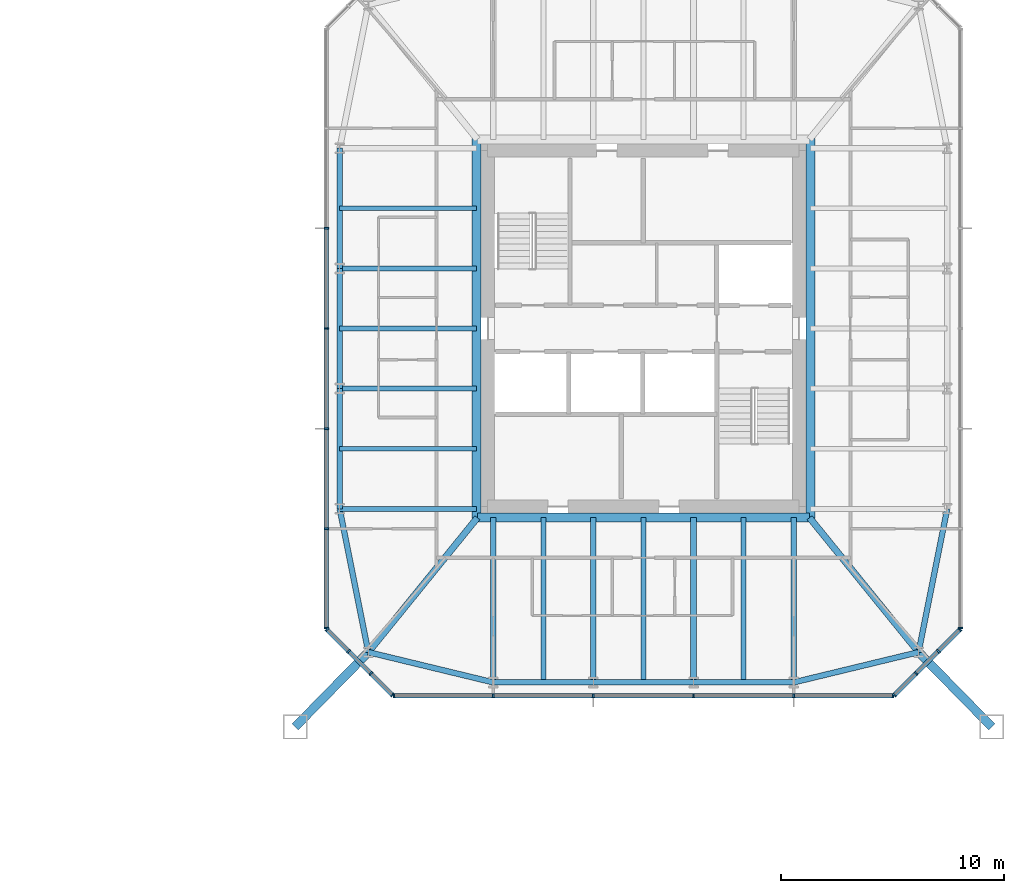
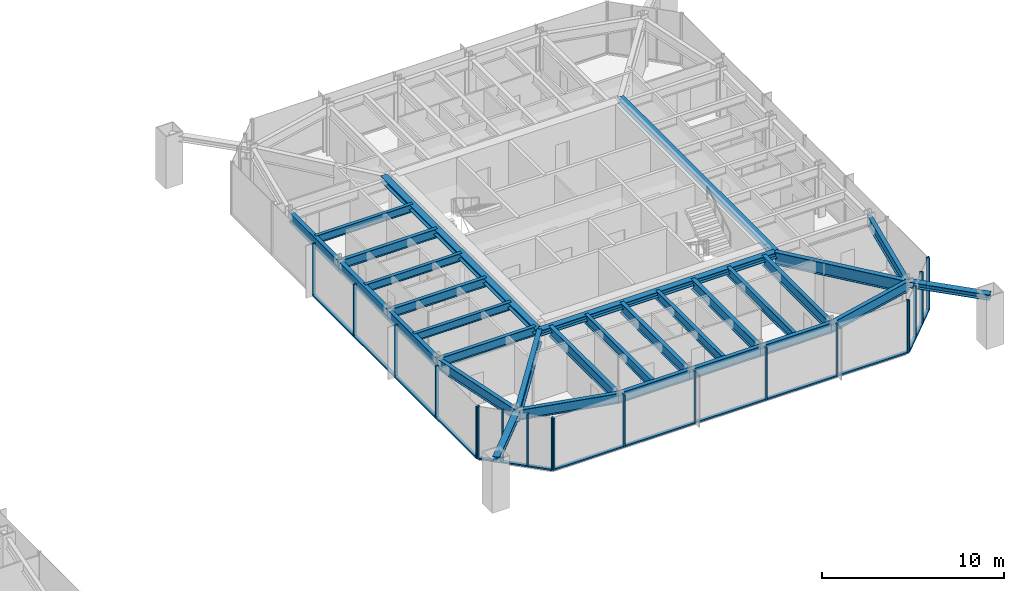
# One storey, part 8 of 25: 37 members, 28 beams, 5 elements without a shape of their own.
"""IFC4 building model written with IfcOpenShell, lengths in metres."""

from ifc_helpers import new_model, si_unit, direction, frame, origin, origin_2d, place, context, subcontext, project, spatial, rectangle, i_section, extrude, material, material_profile, profile_set, type_object, element, aggregate, save


model = new_model("IFC4")

# Units and contexts
model_context = context("Model", 3, precision=1e-05, world=origin(), true_north=direction((0.0, 1.0)))
body_context = subcontext(model_context, "Body", "Model", "MODEL_VIEW")
ifc_project = project(units=[si_unit("LENGTHUNIT", "METRE"), si_unit("AREAUNIT", "SQUARE_METRE"), si_unit("VOLUMEUNIT", "CUBIC_METRE"), si_unit("PLANEANGLEUNIT", "RADIAN"), si_unit("MASSUNIT", "GRAM", prefix="KILO")], contexts=[model_context])

# Site, building, storey
site_placement = place(None, origin())
site = spatial("IfcSite", under=ifc_project, at=site_placement, CompositionType="ELEMENT")
building_placement = place(site_placement, origin())
building = spatial("IfcBuilding", under=site, at=building_placement, Name="Iwan Alto Co-Living Towers", CompositionType="ELEMENT")
storey_placement = place(building_placement, frame((0.0, 0.0, 112.0)))
storey = spatial("IfcBuildingStorey", under=building, at=storey_placement, Name="L30", CompositionType="ELEMENT", Elevation=112.0)

# Curtain wall, members
ifc_material_1 = material(Name="Bronze aluminium unitised frame", Category="aluminium")
curtain_wall_type_1 = type_object("IfcCurtainWallType", Name="CURTAIN WALL CW-C", PredefinedType="NOTDEFINED", material=ifc_material_1)
curtain_wall_1_placement = place(storey_placement, origin())
curtain_wall_1 = element("IfcCurtainWall", 1, at=curtain_wall_1_placement, inside=storey, type_object=curtain_wall_type_1, Name="T2 curtain wall S L30", PredefinedType="NOTDEFINED")
ifc_material_2 = material(Name="Aluminium 6063-T6 bronze anodised", Category="aluminium")
ifc_material_profile_1 = material_profile(ifc_material_2, rectangle(XDim=0.199951171875, YDim=0.080078125, at=origin_2d()), Name="AL 80X200")
ifc_profile_set_1 = profile_set([ifc_material_profile_1], Name="Aluminium 6063-T6 bronze anodised")
member_type_1 = type_object("IfcMemberType", Name="CW-C MULLION 80X200", PredefinedType="MULLION", material=ifc_profile_set_1)
member_1_placement = place(storey_placement, frame((51.7900390625, -16.5, 0.0), z_axis=(0.0, 0.0, 1.0), x_axis=(0.0, 1.0, 0.0)))
member_1 = element("IfcMember", 2, at=member_1_placement, type_object=member_type_1, Name="CW-C mullion 1", PredefinedType="MULLION", context=body_context, shape_type="SweptSolid", body=[
    extrude(rectangle(XDim=0.199951171875, YDim=0.080078125, at=origin_2d()), origin(), (0.0, 0.0, 1.0), 3.5),
])
member_2_placement = place(storey_placement, frame((56.25, -16.5, 0.0), z_axis=(0.0, 0.0, 1.0), x_axis=(0.0, 1.0, 0.0)))
member_2 = element("IfcMember", 3, at=member_2_placement, type_object=member_type_1, Name="CW-C mullion 2", PredefinedType="MULLION", context=body_context, shape_type="SweptSolid", body=[
    extrude(rectangle(XDim=0.199951171875, YDim=0.080078125, at=origin_2d()), origin(), (0.0, 0.0, 1.0), 3.5),
])
member_3_placement = place(storey_placement, frame((60.75, -16.5, 0.0), z_axis=(0.0, 0.0, 1.0), x_axis=(0.0, 1.0, 0.0)))
member_3 = element("IfcMember", 4, at=member_3_placement, type_object=member_type_1, Name="CW-C mullion 3", PredefinedType="MULLION", context=body_context, shape_type="SweptSolid", body=[
    extrude(rectangle(XDim=0.199951171875, YDim=0.080078125, at=origin_2d()), origin(), (0.0, 0.0, 1.0), 3.5),
])
member_4_placement = place(storey_placement, frame((65.25, -16.5, 0.0), z_axis=(0.0, 0.0, 1.0), x_axis=(0.0, 1.0, 0.0)))
member_4 = element("IfcMember", 5, at=member_4_placement, type_object=member_type_1, Name="CW-C mullion 4", PredefinedType="MULLION", context=body_context, shape_type="SweptSolid", body=[
    extrude(rectangle(XDim=0.199951171875, YDim=0.080078125, at=origin_2d()), origin(), (0.0, 0.0, 1.0), 3.5),
])
member_5_placement = place(storey_placement, frame((69.75, -16.5, 0.0), z_axis=(0.0, 0.0, 1.0), x_axis=(0.0, 1.0, 0.0)))
member_5 = element("IfcMember", 6, at=member_5_placement, type_object=member_type_1, Name="CW-C mullion 5", PredefinedType="MULLION", context=body_context, shape_type="SweptSolid", body=[
    extrude(rectangle(XDim=0.199951171875, YDim=0.080078125, at=origin_2d()), origin(), (0.0, 0.0, 1.0), 3.5),
])
member_6_placement = place(storey_placement, frame((74.2099609375, -16.5, 0.0), z_axis=(0.0, 0.0, 1.0), x_axis=(0.0, 1.0, 0.0)))
member_6 = element("IfcMember", 7, at=member_6_placement, type_object=member_type_1, Name="CW-C mullion 6", PredefinedType="MULLION", context=body_context, shape_type="SweptSolid", body=[
    extrude(rectangle(XDim=0.199951171875, YDim=0.080078125, at=origin_2d()), origin(), (0.0, 0.0, 1.0), 3.5),
])

# Curtain wall, member
curtain_wall_2_placement = place(storey_placement, origin())
curtain_wall_2 = element("IfcCurtainWall", 8, at=curtain_wall_2_placement, inside=storey, type_object=curtain_wall_type_1, Name="T2 curtain wall E L30", PredefinedType="NOTDEFINED")
member_7_placement = place(storey_placement, frame((77.25, -13.4599609375, 0.0), z_axis=(0.0, 0.0, 1.0), x_axis=(-1.0, 0.0, 0.0)))
member_7 = element("IfcMember", 9, at=member_7_placement, type_object=member_type_1, Name="CW-C mullion 1", PredefinedType="MULLION", context=body_context, shape_type="SweptSolid", body=[
    extrude(rectangle(XDim=0.199951171875, YDim=0.080078125, at=origin_2d()), origin(), (0.0, 0.0, 1.0), 3.5),
])
aggregate(curtain_wall_2, [member_7])

# Curtain wall, members
curtain_wall_3_placement = place(storey_placement, origin())
curtain_wall_3 = element("IfcCurtainWall", 10, at=curtain_wall_3_placement, inside=storey, type_object=curtain_wall_type_1, Name="T2 curtain wall W L30", PredefinedType="NOTDEFINED")
member_8_placement = place(storey_placement, frame((48.75, 4.5, 0.0), z_axis=(0.0, 0.0, 1.0), x_axis=(1.0, 0.0, 0.0)))
member_8 = element("IfcMember", 11, at=member_8_placement, type_object=member_type_1, Name="CW-C mullion 3", PredefinedType="MULLION", context=body_context, shape_type="SweptSolid", body=[
    extrude(rectangle(XDim=0.199951171875, YDim=0.080078125, at=origin_2d()), origin(), (0.0, 0.0, 1.0), 3.5),
])
member_9_placement = place(storey_placement, frame((48.75, 0.0, 0.0), z_axis=(0.0, 0.0, 1.0), x_axis=(1.0, 0.0, 0.0)))
member_9 = element("IfcMember", 12, at=member_9_placement, type_object=member_type_1, Name="CW-C mullion 4", PredefinedType="MULLION", context=body_context, shape_type="SweptSolid", body=[
    extrude(rectangle(XDim=0.199951171875, YDim=0.080078125, at=origin_2d()), origin(), (0.0, 0.0, 1.0), 3.5),
])
member_10_placement = place(storey_placement, frame((48.75, -4.5, 0.0), z_axis=(0.0, 0.0, 1.0), x_axis=(1.0, 0.0, 0.0)))
member_10 = element("IfcMember", 13, at=member_10_placement, type_object=member_type_1, Name="CW-C mullion 5", PredefinedType="MULLION", context=body_context, shape_type="SweptSolid", body=[
    extrude(rectangle(XDim=0.199951171875, YDim=0.080078125, at=origin_2d()), origin(), (0.0, 0.0, 1.0), 3.5),
])
member_11_placement = place(storey_placement, frame((48.75, -9.0, 0.0), z_axis=(0.0, 0.0, 1.0), x_axis=(1.0, 0.0, 0.0)))
member_11 = element("IfcMember", 14, at=member_11_placement, type_object=member_type_1, Name="CW-C mullion 6", PredefinedType="MULLION", context=body_context, shape_type="SweptSolid", body=[
    extrude(rectangle(XDim=0.199951171875, YDim=0.080078125, at=origin_2d()), origin(), (0.0, 0.0, 1.0), 3.5),
])
member_12_placement = place(storey_placement, frame((48.75, -13.4599609375, 0.0), z_axis=(0.0, 0.0, 1.0), x_axis=(1.0, 0.0, 0.0)))
member_12 = element("IfcMember", 15, at=member_12_placement, type_object=member_type_1, Name="CW-C mullion 7", PredefinedType="MULLION", context=body_context, shape_type="SweptSolid", body=[
    extrude(rectangle(XDim=0.199951171875, YDim=0.080078125, at=origin_2d()), origin(), (0.0, 0.0, 1.0), 3.5),
])

# Member
ifc_material_3 = material(Name="Aluminium 6063-T6 bronze anodised", Category="aluminium")
ifc_material_profile_2 = material_profile(ifc_material_3, rectangle(XDim=0.199951171875, YDim=0.10009765625, at=origin_2d()), Name="AL 200X100")
ifc_profile_set_2 = profile_set([ifc_material_profile_2], Name="Aluminium 6063-T6 bronze anodised")
member_type_2 = type_object("IfcMemberType", Name="CW-C TRANSOM 200X100", PredefinedType="USERDEFINED", material=ifc_profile_set_2)
member_13_placement = place(storey_placement, frame((51.830078125, -16.5, 0.050048828125), z_axis=(1.0, 0.0, 0.0), x_axis=(0.0, 1.0, 0.0)))
member_13 = element("IfcMember", 16, at=member_13_placement, type_object=member_type_2, Name="CW-C transom 1.1", ObjectType="TRANSOM", PredefinedType="USERDEFINED", context=body_context, shape_type="SweptSolid", body=[
    extrude(rectangle(XDim=0.199951171875, YDim=0.10009765625, at=origin_2d()), origin(), (0.0, 0.0, 1.0), 4.3798828125),
])

member_14_placement = place(storey_placement, frame((56.2900390625, -16.5, 0.050048828125), z_axis=(1.0, 0.0, 0.0), x_axis=(0.0, 1.0, 0.0)))
member_14 = element("IfcMember", 17, at=member_14_placement, type_object=member_type_2, Name="CW-C transom 2.1", ObjectType="TRANSOM", PredefinedType="USERDEFINED", context=body_context, shape_type="SweptSolid", body=[
    extrude(rectangle(XDim=0.199951171875, YDim=0.10009765625, at=origin_2d()), origin(), (0.0, 0.0, 1.0), 4.419921875),
])

member_15_placement = place(storey_placement, frame((60.7900390625, -16.5, 0.050048828125), z_axis=(1.0, 0.0, 0.0), x_axis=(0.0, 1.0, 0.0)))
member_15 = element("IfcMember", 18, at=member_15_placement, type_object=member_type_2, Name="CW-C transom 3.1", ObjectType="TRANSOM", PredefinedType="USERDEFINED", context=body_context, shape_type="SweptSolid", body=[
    extrude(rectangle(XDim=0.199951171875, YDim=0.10009765625, at=origin_2d()), origin(), (0.0, 0.0, 1.0), 4.419921875),
])

member_16_placement = place(storey_placement, frame((65.2900390625, -16.5, 0.050048828125), z_axis=(1.0, 0.0, 0.0), x_axis=(0.0, 1.0, 0.0)))
member_16 = element("IfcMember", 19, at=member_16_placement, type_object=member_type_2, Name="CW-C transom 4.1", ObjectType="TRANSOM", PredefinedType="USERDEFINED", context=body_context, shape_type="SweptSolid", body=[
    extrude(rectangle(XDim=0.199951171875, YDim=0.10009765625, at=origin_2d()), origin(), (0.0, 0.0, 1.0), 4.419921875),
])

member_17_placement = place(storey_placement, frame((69.7900390625, -16.5, 0.050048828125), z_axis=(1.0, 0.0, 0.0), x_axis=(0.0, 1.0, 0.0)))
member_17 = element("IfcMember", 20, at=member_17_placement, type_object=member_type_2, Name="CW-C transom 5.1", ObjectType="TRANSOM", PredefinedType="USERDEFINED", context=body_context, shape_type="SweptSolid", body=[
    extrude(rectangle(XDim=0.199951171875, YDim=0.10009765625, at=origin_2d()), origin(), (0.0, 0.0, 1.0), 4.3798828125),
])

aggregate(curtain_wall_1, [member_1, member_2, member_3, member_4, member_5, member_6, member_13, member_14, member_15, member_16, member_17])

member_18_placement = place(storey_placement, frame((48.75, 4.4599609375, 0.050048828125), z_axis=(0.0, -1.0, 0.0), x_axis=(1.0, 0.0, 0.0)))
member_18 = element("IfcMember", 21, at=member_18_placement, type_object=member_type_2, Name="CW-C transom 3.1", ObjectType="TRANSOM", PredefinedType="USERDEFINED", context=body_context, shape_type="SweptSolid", body=[
    extrude(rectangle(XDim=0.199951171875, YDim=0.10009765625, at=origin_2d()), origin(), (0.0, 0.0, 1.0), 4.419921875),
])

member_19_placement = place(storey_placement, frame((48.75, -0.0400390625, 0.050048828125), z_axis=(0.0, -1.0, 0.0), x_axis=(1.0, 0.0, 0.0)))
member_19 = element("IfcMember", 22, at=member_19_placement, type_object=member_type_2, Name="CW-C transom 4.1", ObjectType="TRANSOM", PredefinedType="USERDEFINED", context=body_context, shape_type="SweptSolid", body=[
    extrude(rectangle(XDim=0.199951171875, YDim=0.10009765625, at=origin_2d()), origin(), (0.0, 0.0, 1.0), 4.419921875),
])

member_20_placement = place(storey_placement, frame((48.75, -4.5400390625, 0.050048828125), z_axis=(0.0, -1.0, 0.0), x_axis=(1.0, 0.0, 0.0)))
member_20 = element("IfcMember", 23, at=member_20_placement, type_object=member_type_2, Name="CW-C transom 5.1", ObjectType="TRANSOM", PredefinedType="USERDEFINED", context=body_context, shape_type="SweptSolid", body=[
    extrude(rectangle(XDim=0.199951171875, YDim=0.10009765625, at=origin_2d()), origin(), (0.0, 0.0, 1.0), 4.419921875),
])

member_21_placement = place(storey_placement, frame((48.75, -9.0400390625, 0.050048828125), z_axis=(0.0, -1.0, 0.0), x_axis=(1.0, 0.0, 0.0)))
member_21 = element("IfcMember", 24, at=member_21_placement, type_object=member_type_2, Name="CW-C transom 6.1", ObjectType="TRANSOM", PredefinedType="USERDEFINED", context=body_context, shape_type="SweptSolid", body=[
    extrude(rectangle(XDim=0.199951171875, YDim=0.10009765625, at=origin_2d()), origin(), (0.0, 0.0, 1.0), 4.3798828125),
])

aggregate(curtain_wall_3, [member_8, member_9, member_10, member_11, member_12, member_18, member_19, member_20, member_21])

# Curtain wall, members
ifc_material_4 = material(Name="Bronze aluminium unitised frame", Category="aluminium")
curtain_wall_type_2 = type_object("IfcCurtainWallType", Name="CURTAIN WALL CW-D", PredefinedType="NOTDEFINED", material=ifc_material_4)
curtain_wall_4_placement = place(storey_placement, origin())
curtain_wall_4 = element("IfcCurtainWall", 25, at=curtain_wall_4_placement, inside=storey, type_object=curtain_wall_type_2, Name="T2 chamfer curtain wall SE L30", PredefinedType="NOTDEFINED")
ifc_material_5 = material(Name="Aluminium 6063-T6 bronze anodised", Category="aluminium")
ifc_material_profile_3 = material_profile(ifc_material_5, rectangle(XDim=0.199951171875, YDim=0.080078125, at=origin_2d()), Name="AL 80X200")
ifc_profile_set_3 = profile_set([ifc_material_profile_3], Name="Aluminium 6063-T6 bronze anodised")
member_type_3 = type_object("IfcMemberType", Name="CW-D MULLION 80X200", PredefinedType="MULLION", material=ifc_profile_set_3)
member_22_placement = place(storey_placement, frame((74.2783203125, -16.4716796875, 0.0), z_axis=(0.0, 0.0, 1.0), x_axis=(-0.707106781187, 0.707106781187, 0.0)))
member_22 = element("IfcMember", 26, at=member_22_placement, type_object=member_type_3, Name="CW-D mullion 1", PredefinedType="MULLION", context=body_context, shape_type="SweptSolid", body=[
    extrude(rectangle(XDim=0.199951171875, YDim=0.080078125, at=origin_2d()), origin(), (0.0, 0.0, 1.0), 3.5),
])
member_23_placement = place(storey_placement, frame((75.25, -15.5, 0.0), z_axis=(0.0, 0.0, 1.0), x_axis=(-0.707106781187, 0.707106781187, 0.0)))
member_23 = element("IfcMember", 27, at=member_23_placement, type_object=member_type_3, Name="CW-D mullion 2", PredefinedType="MULLION", context=body_context, shape_type="SweptSolid", body=[
    extrude(rectangle(XDim=0.199951171875, YDim=0.080078125, at=origin_2d()), origin(), (0.0, 0.0, 1.0), 3.5),
])
member_24_placement = place(storey_placement, frame((76.25, -14.5, 0.0), z_axis=(0.0, 0.0, 1.0), x_axis=(-0.707106781187, 0.707106781187, 0.0)))
member_24 = element("IfcMember", 28, at=member_24_placement, type_object=member_type_3, Name="CW-D mullion 3", PredefinedType="MULLION", context=body_context, shape_type="SweptSolid", body=[
    extrude(rectangle(XDim=0.199951171875, YDim=0.080078125, at=origin_2d()), origin(), (0.0, 0.0, 1.0), 3.5),
])
member_25_placement = place(storey_placement, frame((77.2216796875, -13.5283203125, 0.0), z_axis=(0.0, 0.0, 1.0), x_axis=(-0.707106781187, 0.707106781187, 0.0)))
member_25 = element("IfcMember", 29, at=member_25_placement, type_object=member_type_3, Name="CW-D mullion 4", PredefinedType="MULLION", context=body_context, shape_type="SweptSolid", body=[
    extrude(rectangle(XDim=0.199951171875, YDim=0.080078125, at=origin_2d()), origin(), (0.0, 0.0, 1.0), 3.5),
])

curtain_wall_5_placement = place(storey_placement, origin())
curtain_wall_5 = element("IfcCurtainWall", 30, at=curtain_wall_5_placement, inside=storey, type_object=curtain_wall_type_2, Name="T2 chamfer curtain wall SW L30", PredefinedType="NOTDEFINED")
member_26_placement = place(storey_placement, frame((48.7783203125, -13.5283203125, 0.0), z_axis=(0.0, 0.0, 1.0), x_axis=(0.707106781187, 0.707106781187, 0.0)))
member_26 = element("IfcMember", 31, at=member_26_placement, type_object=member_type_3, Name="CW-D mullion 1", PredefinedType="MULLION", context=body_context, shape_type="SweptSolid", body=[
    extrude(rectangle(XDim=0.199951171875, YDim=0.080078125, at=origin_2d()), origin(), (0.0, 0.0, 1.0), 3.5),
])
member_27_placement = place(storey_placement, frame((49.75, -14.5, 0.0), z_axis=(0.0, 0.0, 1.0), x_axis=(0.707106781187, 0.707106781187, 0.0)))
member_27 = element("IfcMember", 32, at=member_27_placement, type_object=member_type_3, Name="CW-D mullion 2", PredefinedType="MULLION", context=body_context, shape_type="SweptSolid", body=[
    extrude(rectangle(XDim=0.199951171875, YDim=0.080078125, at=origin_2d()), origin(), (0.0, 0.0, 1.0), 3.5),
])
member_28_placement = place(storey_placement, frame((50.75, -15.5, 0.0), z_axis=(0.0, 0.0, 1.0), x_axis=(0.707106781187, 0.707106781187, 0.0)))
member_28 = element("IfcMember", 33, at=member_28_placement, type_object=member_type_3, Name="CW-D mullion 3", PredefinedType="MULLION", context=body_context, shape_type="SweptSolid", body=[
    extrude(rectangle(XDim=0.199951171875, YDim=0.080078125, at=origin_2d()), origin(), (0.0, 0.0, 1.0), 3.5),
])
member_29_placement = place(storey_placement, frame((51.7216796875, -16.4716796875, 0.0), z_axis=(0.0, 0.0, 1.0), x_axis=(0.707106781187, 0.707106781187, 0.0)))
member_29 = element("IfcMember", 34, at=member_29_placement, type_object=member_type_3, Name="CW-D mullion 4", PredefinedType="MULLION", context=body_context, shape_type="SweptSolid", body=[
    extrude(rectangle(XDim=0.199951171875, YDim=0.080078125, at=origin_2d()), origin(), (0.0, 0.0, 1.0), 3.5),
])

# Member
ifc_material_6 = material(Name="Aluminium 6063-T6 bronze anodised", Category="aluminium")
ifc_material_profile_4 = material_profile(ifc_material_6, rectangle(XDim=0.199951171875, YDim=0.10009765625, at=origin_2d()), Name="AL 200X100")
ifc_profile_set_4 = profile_set([ifc_material_profile_4], Name="Aluminium 6063-T6 bronze anodised")
member_type_4 = type_object("IfcMemberType", Name="CW-D TRANSOM 200X100", PredefinedType="USERDEFINED", material=ifc_profile_set_4)
member_30_placement = place(storey_placement, frame((74.306640625, -16.443359375, 0.050048828125), z_axis=(0.707106781187, 0.707106781187, 0.0), x_axis=(-0.707106781187, 0.707106781187, 0.0)))
member_30 = element("IfcMember", 35, at=member_30_placement, type_object=member_type_4, Name="CW-D transom 1.1", ObjectType="TRANSOM", PredefinedType="USERDEFINED", context=body_context, shape_type="SweptSolid", body=[
    extrude(rectangle(XDim=0.199951171875, YDim=0.10009765625, at=origin_2d()), origin(), (0.0, 0.0, 1.0), 1.2939453125),
])

member_31_placement = place(storey_placement, frame((75.2783203125, -15.4716796875, 0.050048828125), z_axis=(0.707106781187, 0.707106781187, 0.0), x_axis=(-0.707106781187, 0.707106781187, 0.0)))
member_31 = element("IfcMember", 36, at=member_31_placement, type_object=member_type_4, Name="CW-D transom 2.1", ObjectType="TRANSOM", PredefinedType="USERDEFINED", context=body_context, shape_type="SweptSolid", body=[
    extrude(rectangle(XDim=0.199951171875, YDim=0.10009765625, at=origin_2d()), origin(), (0.0, 0.0, 1.0), 1.334228515625),
])

member_32_placement = place(storey_placement, frame((76.2783203125, -14.4716796875, 0.050048828125), z_axis=(0.707106781187, 0.707106781187, 0.0), x_axis=(-0.707106781187, 0.707106781187, 0.0)))
member_32 = element("IfcMember", 37, at=member_32_placement, type_object=member_type_4, Name="CW-D transom 3.1", ObjectType="TRANSOM", PredefinedType="USERDEFINED", context=body_context, shape_type="SweptSolid", body=[
    extrude(rectangle(XDim=0.199951171875, YDim=0.10009765625, at=origin_2d()), origin(), (0.0, 0.0, 1.0), 1.2939453125),
])

aggregate(curtain_wall_4, [member_22, member_23, member_24, member_25, member_30, member_31, member_32])

member_33_placement = place(storey_placement, frame((48.806640625, -13.556640625, 0.050048828125), z_axis=(0.707106781187, -0.707106781187, 0.0), x_axis=(0.707106781187, 0.707106781187, 0.0)))
member_33 = element("IfcMember", 38, at=member_33_placement, type_object=member_type_4, Name="CW-D transom 1.1", ObjectType="TRANSOM", PredefinedType="USERDEFINED", context=body_context, shape_type="SweptSolid", body=[
    extrude(rectangle(XDim=0.199951171875, YDim=0.10009765625, at=origin_2d()), origin(), (0.0, 0.0, 1.0), 1.2939453125),
])

member_34_placement = place(storey_placement, frame((49.7783203125, -14.5283203125, 0.050048828125), z_axis=(0.707106781187, -0.707106781187, 0.0), x_axis=(0.707106781187, 0.707106781187, 0.0)))
member_34 = element("IfcMember", 39, at=member_34_placement, type_object=member_type_4, Name="CW-D transom 2.1", ObjectType="TRANSOM", PredefinedType="USERDEFINED", context=body_context, shape_type="SweptSolid", body=[
    extrude(rectangle(XDim=0.199951171875, YDim=0.10009765625, at=origin_2d()), origin(), (0.0, 0.0, 1.0), 1.334228515625),
])

member_35_placement = place(storey_placement, frame((50.7783203125, -15.5283203125, 0.050048828125), z_axis=(0.707106781187, -0.707106781187, 0.0), x_axis=(0.707106781187, 0.707106781187, 0.0)))
member_35 = element("IfcMember", 40, at=member_35_placement, type_object=member_type_4, Name="CW-D transom 3.1", ObjectType="TRANSOM", PredefinedType="USERDEFINED", context=body_context, shape_type="SweptSolid", body=[
    extrude(rectangle(XDim=0.199951171875, YDim=0.10009765625, at=origin_2d()), origin(), (0.0, 0.0, 1.0), 1.2939453125),
])

aggregate(curtain_wall_5, [member_26, member_27, member_28, member_29, member_33, member_34, member_35])

# Beams
ifc_material_7 = material(Name="Steel ASTM A992 Gr 50", Category="steel")
ifc_material_profile_5 = material_profile(ifc_material_7, i_section(OverallWidth=0.398681640625, OverallDepth=0.385986328125, WebThickness=0.02099609375, FlangeThickness=0.033203125, at=origin_2d()), Name="W14X176")
ifc_profile_set_5 = profile_set([ifc_material_profile_5], Name="Steel ASTM A992 Gr 50")
beam_type_1 = type_object("IfcBeamType", Name="T2 CORE LEDGER BEAM W14X176", PredefinedType="BEAM", material=ifc_profile_set_5)
beam_1_placement = place(storey_placement, frame((55.538330078125, -8.49951171875, 3.076904296875), z_axis=(1.0, 0.0, 0.0), x_axis=(0.0, 1.0, 0.0)))
element("IfcBeam", 41, at=beam_1_placement, inside=storey, type_object=beam_type_1, Name="T2 core ledger beam S L31", PredefinedType="BEAM", context=body_context, shape_type="SweptSolid", body=[
    extrude(i_section(OverallWidth=0.398681640625, OverallDepth=0.385986328125, WebThickness=0.02099609375, FlangeThickness=0.033203125, at=origin_2d()), origin(), (0.0, 0.0, 1.0), 14.92333984375),
])
for number, where, z_axis, x_axis, name in (
    (42, (70.49951171875, -8.5458984375, 3.076904296875), (0.0, 1.0, 0.0), (-1.0, 0.0, 0.0), "T2 core ledger beam E L31"),
    (43, (55.50048828125, 8.5458984375, 3.076904296875), (0.0, -1.0, 0.0), (1.0, 0.0, 0.0), "T2 core ledger beam W L31"),
):
    element("IfcBeam", number, at=place(storey_placement, frame(where, z_axis=z_axis, x_axis=x_axis)), inside=storey, type_object=beam_type_1, Name=name, PredefinedType="BEAM", context=body_context, shape_type="SweptSolid", body=[
        extrude(i_section(OverallWidth=0.398681640625, OverallDepth=0.385986328125, WebThickness=0.02099609375, FlangeThickness=0.033203125, at=origin_2d()), origin(), (0.0, 0.0, 1.0), 17.091796875),
    ])
ifc_material_8 = material(Name="Steel ASTM A992 Gr 50", Category="steel")
ifc_material_profile_6 = material_profile(ifc_material_8, i_section(OverallWidth=0.2919921875, OverallDepth=0.8408203125, WebThickness=0.0146484375, FlangeThickness=0.021728515625, at=origin_2d()), Name="W33X130")
ifc_profile_set_6 = profile_set([ifc_material_profile_6], Name="Steel ASTM A992 Gr 50")
beam_type_2 = type_object("IfcBeamType", Name="T2 CORNER GIRDER W33X130", PredefinedType="BEAM", material=ifc_profile_set_6)
for number, where, z_axis, x_axis, name in (
    (44, (50.638671875, -14.542724609375, 2.849609375), (0.629783024592, 0.776771100091, 0.0), (-0.776771100091, 0.629783024592, 0.0), "T2 corner girder CSW L31"),
    (45, (75.361328125, -14.542724609375, 2.849609375), (-0.629783024592, 0.776771100091, 0.0), (-0.776771100091, -0.629783024592, 0.0), "T2 corner girder CSE L31"),
):
    element("IfcBeam", number, at=place(storey_placement, frame(where, z_axis=z_axis, x_axis=x_axis)), inside=storey, type_object=beam_type_2, Name=name, PredefinedType="BEAM", context=body_context, shape_type="SweptSolid", body=[
        extrude(i_section(OverallWidth=0.2919921875, OverallDepth=0.8408203125, WebThickness=0.0146484375, FlangeThickness=0.021728515625, at=origin_2d()), origin(), (0.0, 0.0, 1.0), 7.780029296875),
    ])
ifc_material_9 = material(Name="Steel ASTM A992 Gr 50", Category="steel")
ifc_material_profile_7 = material_profile(ifc_material_9, i_section(OverallWidth=0.25390625, OverallDepth=0.683349609375, WebThickness=0.012451171875, FlangeThickness=0.018798828125, at=origin_2d()), Name="W27X94")
ifc_profile_set_7 = profile_set([ifc_material_profile_7], Name="Steel ASTM A992 Gr 50")
beam_type_3 = type_object("IfcBeamType", Name="T2 EDGE BEAM W27X94", PredefinedType="BEAM", material=ifc_profile_set_7)
beam_2_placement = place(storey_placement, frame((50.638671875, -14.542724609375, 2.928466796875), z_axis=(0.971974673138, -0.235085590323, 0.0), x_axis=(0.235085590323, 0.971974673138, 0.0)))
element("IfcBeam", 46, at=beam_2_placement, inside=storey, type_object=beam_type_3, Name="T2 edge beam CSW L31", PredefinedType="BEAM", context=body_context, shape_type="SweptSolid", body=[
    extrude(i_section(OverallWidth=0.25390625, OverallDepth=0.683349609375, WebThickness=0.012451171875, FlangeThickness=0.018798828125, at=origin_2d()), origin(), (0.0, 0.0, 1.0), 5.773193359375),
])
for number, where, z_axis, x_axis, name in (
    (47, (56.25, -15.89990234375, 2.928466796875), (1.0, 0.0, 0.0), (0.0, 1.0, 0.0), "T2 edge beam S1 L31"),
    (48, (60.75, -15.89990234375, 2.928466796875), (1.0, 0.0, 0.0), (0.0, 1.0, 0.0), "T2 edge beam S2 L31"),
    (49, (65.25, -15.89990234375, 2.928466796875), (1.0, 0.0, 0.0), (0.0, 1.0, 0.0), "T2 edge beam S3 L31"),
):
    element("IfcBeam", number, at=place(storey_placement, frame(where, z_axis=z_axis, x_axis=x_axis)), inside=storey, type_object=beam_type_3, Name=name, PredefinedType="BEAM", context=body_context, shape_type="SweptSolid", body=[
        extrude(i_section(OverallWidth=0.25390625, OverallDepth=0.683349609375, WebThickness=0.012451171875, FlangeThickness=0.018798828125, at=origin_2d()), origin(), (0.0, 0.0, 1.0), 4.5),
    ])
beam_3_placement = place(storey_placement, frame((69.75, -15.89990234375, 2.928466796875), z_axis=(0.971974673138, 0.235085590323, 0.0), x_axis=(-0.235085590323, 0.971974673138, 0.0)))
element("IfcBeam", 50, at=beam_3_placement, inside=storey, type_object=beam_type_3, Name="T2 edge beam S4 L31", PredefinedType="BEAM", context=body_context, shape_type="SweptSolid", body=[
    extrude(i_section(OverallWidth=0.25390625, OverallDepth=0.683349609375, WebThickness=0.012451171875, FlangeThickness=0.018798828125, at=origin_2d()), origin(), (0.0, 0.0, 1.0), 5.773193359375),
])
beam_4_placement = place(storey_placement, frame((75.361328125, -14.542724609375, 2.928466796875), z_axis=(0.196123281025, 0.980579246487, 0.0), x_axis=(-0.980579246487, 0.196123281025, 0.0)))
element("IfcBeam", 51, at=beam_4_placement, inside=storey, type_object=beam_type_3, Name="T2 edge beam CSE L31", PredefinedType="BEAM", context=body_context, shape_type="SweptSolid", body=[
    extrude(i_section(OverallWidth=0.25390625, OverallDepth=0.683349609375, WebThickness=0.012451171875, FlangeThickness=0.018798828125, at=origin_2d()), origin(), (0.0, 0.0, 1.0), 6.5703125),
])
beam_5_placement = place(storey_placement, frame((49.35009765625, 8.10009765625, 2.928466796875), z_axis=(0.0, -1.0, 0.0), x_axis=(1.0, 0.0, 0.0)))
element("IfcBeam", 52, at=beam_5_placement, inside=storey, type_object=beam_type_3, Name="T2 edge beam W1 L31", PredefinedType="BEAM", context=body_context, shape_type="SweptSolid", body=[
    extrude(i_section(OverallWidth=0.25390625, OverallDepth=0.683349609375, WebThickness=0.012451171875, FlangeThickness=0.018798828125, at=origin_2d()), origin(), (0.0, 0.0, 1.0), 5.400146484375),
])
beam_6_placement = place(storey_placement, frame((49.35009765625, 2.699951171875, 2.928466796875), z_axis=(0.0, -1.0, 0.0), x_axis=(1.0, 0.0, 0.0)))
element("IfcBeam", 53, at=beam_6_placement, inside=storey, type_object=beam_type_3, Name="T2 edge beam W2 L31", PredefinedType="BEAM", context=body_context, shape_type="SweptSolid", body=[
    extrude(i_section(OverallWidth=0.25390625, OverallDepth=0.683349609375, WebThickness=0.012451171875, FlangeThickness=0.018798828125, at=origin_2d()), origin(), (0.0, 0.0, 1.0), 5.39990234375),
])
beam_7_placement = place(storey_placement, frame((49.35009765625, -2.699951171875, 2.928466796875), z_axis=(0.0, -1.0, 0.0), x_axis=(1.0, 0.0, 0.0)))
element("IfcBeam", 54, at=beam_7_placement, inside=storey, type_object=beam_type_3, Name="T2 edge beam W3 L31", PredefinedType="BEAM", context=body_context, shape_type="SweptSolid", body=[
    extrude(i_section(OverallWidth=0.25390625, OverallDepth=0.683349609375, WebThickness=0.012451171875, FlangeThickness=0.018798828125, at=origin_2d()), origin(), (0.0, 0.0, 1.0), 5.400146484375),
])
beam_8_placement = place(storey_placement, frame((49.35009765625, -8.10009765625, 2.928466796875), z_axis=(0.196123281025, -0.980579246487, 0.0), x_axis=(0.980579246487, 0.196123281025, 0.0)))
element("IfcBeam", 55, at=beam_8_placement, inside=storey, type_object=beam_type_3, Name="T2 edge beam W4 L31", PredefinedType="BEAM", context=body_context, shape_type="SweptSolid", body=[
    extrude(i_section(OverallWidth=0.25390625, OverallDepth=0.683349609375, WebThickness=0.012451171875, FlangeThickness=0.018798828125, at=origin_2d()), origin(), (0.0, 0.0, 1.0), 6.5703125),
])

# Members
ifc_material_10 = material(Name="Steel ASTM A992 Gr 50", Category="steel")
ifc_material_profile_8 = material_profile(ifc_material_10, i_section(OverallWidth=0.393798828125, OverallDepth=0.3759765625, WebThickness=0.017333984375, FlangeThickness=0.027587890625, at=origin_2d()), Name="W14X145")
ifc_profile_set_8 = profile_set([ifc_material_profile_8], Name="Steel ASTM A992 Gr 50")
member_type_5 = type_object("IfcMemberType", Name="T2 MEGA COLUMN FLOOR TIE W14X145", PredefinedType="STRUT", material=ifc_profile_set_8)
for number, where, z_axis, x_axis, name in (
    (56, (47.35009765625, -17.89990234375, 3.08203125), (0.699770096147, 0.714368121166, 0.0), (-0.714368121166, 0.699770096147, 0.0), "T2 mega column floor tie SW L31"),
    (57, (78.64990234375, -17.89990234375, 3.08203125), (-0.699770096147, 0.714368121166, 0.0), (-0.714368121166, -0.699770096147, 0.0), "T2 mega column floor tie SE L31"),
):
    element("IfcMember", number, at=place(storey_placement, frame(where, z_axis=z_axis, x_axis=x_axis)), inside=storey, type_object=member_type_5, Name=name, PredefinedType="STRUT", context=body_context, shape_type="SweptSolid", body=[
        extrude(i_section(OverallWidth=0.393798828125, OverallDepth=0.3759765625, WebThickness=0.017333984375, FlangeThickness=0.027587890625, at=origin_2d()), origin(), (0.0, 0.0, 1.0), 4.699462890625),
    ])

# Beams
ifc_material_11 = material(Name="Steel ASTM A992 Gr 50", Category="steel")
ifc_material_profile_9 = material_profile(ifc_material_11, i_section(OverallWidth=0.228271484375, OverallDepth=0.607177734375, WebThickness=0.01123046875, FlangeThickness=0.017333984375, at=origin_2d()), Name="W24X76")
ifc_profile_set_9 = profile_set([ifc_material_profile_9], Name="Steel ASTM A992 Gr 50")
beam_type_4 = type_object("IfcBeamType", Name="T2 RADIAL BEAM W24X76", PredefinedType="BEAM", material=ifc_profile_set_9)
for number, where, z_axis, x_axis, name in (
    (58, (49.35009765625, 2.699951171875, 2.966552734375), (1.0, 0.0, 0.0), (0.0, 1.0, 0.0), "T2 radial beam W2 L31"),
    (59, (49.35009765625, -2.699951171875, 2.966552734375), (1.0, 0.0, 0.0), (0.0, 1.0, 0.0), "T2 radial beam W3 L31"),
    (60, (49.35009765625, -8.10009765625, 2.966552734375), (1.0, 0.0, 0.0), (0.0, 1.0, 0.0), "T2 radial beam W4 L31"),
):
    element("IfcBeam", number, at=place(storey_placement, frame(where, z_axis=z_axis, x_axis=x_axis)), inside=storey, type_object=beam_type_4, Name=name, PredefinedType="BEAM", context=body_context, shape_type="SweptSolid", body=[
        extrude(i_section(OverallWidth=0.228271484375, OverallDepth=0.607177734375, WebThickness=0.01123046875, FlangeThickness=0.017333984375, at=origin_2d()), origin(), (0.0, 0.0, 1.0), 6.150390625),
    ])
ifc_material_12 = material(Name="Steel ASTM A992 Gr 50", Category="steel")
ifc_material_profile_10 = material_profile(ifc_material_12, i_section(OverallWidth=0.25390625, OverallDepth=0.683349609375, WebThickness=0.012451171875, FlangeThickness=0.018798828125, at=origin_2d()), Name="W27X94")
ifc_profile_set_10 = profile_set([ifc_material_profile_10], Name="Steel ASTM A992 Gr 50")
beam_type_5 = type_object("IfcBeamType", Name="T2 RADIAL BEAM W27X94", PredefinedType="BEAM", material=ifc_profile_set_10)
for number, where, z_axis, x_axis, name in (
    (61, (56.25, -15.89990234375, 2.928466796875), (0.0, 1.0, 0.0), (-1.0, 0.0, 0.0), "T2 radial beam S1 L31"),
    (62, (60.75, -15.89990234375, 2.928466796875), (0.0, 1.0, 0.0), (-1.0, 0.0, 0.0), "T2 radial beam S2 L31"),
    (63, (65.25, -15.89990234375, 2.928466796875), (0.0, 1.0, 0.0), (-1.0, 0.0, 0.0), "T2 radial beam S3 L31"),
    (64, (69.75, -15.89990234375, 2.928466796875), (0.0, 1.0, 0.0), (-1.0, 0.0, 0.0), "T2 radial beam S4 L31"),
):
    element("IfcBeam", number, at=place(storey_placement, frame(where, z_axis=z_axis, x_axis=x_axis)), inside=storey, type_object=beam_type_5, Name=name, PredefinedType="BEAM", context=body_context, shape_type="SweptSolid", body=[
        extrude(i_section(OverallWidth=0.25390625, OverallDepth=0.683349609375, WebThickness=0.012451171875, FlangeThickness=0.018798828125, at=origin_2d()), origin(), (0.0, 0.0, 1.0), 7.400390625),
    ])
ifc_material_13 = material(Name="Steel ASTM A992 Gr 50", Category="steel")
ifc_material_profile_11 = material_profile(ifc_material_13, i_section(OverallWidth=0.209228515625, OverallDepth=0.533447265625, WebThickness=0.01025390625, FlangeThickness=0.015625, at=origin_2d()), Name="W21X62")
ifc_profile_set_11 = profile_set([ifc_material_profile_11], Name="Steel ASTM A992 Gr 50")
beam_type_6 = type_object("IfcBeamType", Name="T2 SECONDARY BEAM W21X62", PredefinedType="JOIST", material=ifc_profile_set_11)
for number, where, z_axis, x_axis, name in (
    (65, (49.35009765625, 5.39990234375, 3.00341796875), (1.0, 0.0, 0.0), (0.0, 1.0, 0.0), "T2 secondary beam W1 L31"),
    (66, (49.35009765625, 0.0, 3.00341796875), (1.0, 0.0, 0.0), (0.0, 1.0, 0.0), "T2 secondary beam W2 L31"),
    (67, (49.35009765625, -5.39990234375, 3.00341796875), (1.0, 0.0, 0.0), (0.0, 1.0, 0.0), "T2 secondary beam W3 L31"),
):
    element("IfcBeam", number, at=place(storey_placement, frame(where, z_axis=z_axis, x_axis=x_axis)), inside=storey, type_object=beam_type_6, Name=name, PredefinedType="JOIST", context=body_context, shape_type="SweptSolid", body=[
        extrude(i_section(OverallWidth=0.209228515625, OverallDepth=0.533447265625, WebThickness=0.01025390625, FlangeThickness=0.015625, at=origin_2d()), origin(), (0.0, 0.0, 1.0), 6.150390625),
    ])
ifc_material_14 = material(Name="Steel ASTM A992 Gr 50", Category="steel")
ifc_material_profile_12 = material_profile(ifc_material_14, i_section(OverallWidth=0.228271484375, OverallDepth=0.607177734375, WebThickness=0.01123046875, FlangeThickness=0.017333984375, at=origin_2d()), Name="W24X76")
ifc_profile_set_12 = profile_set([ifc_material_profile_12], Name="Steel ASTM A992 Gr 50")
beam_type_7 = type_object("IfcBeamType", Name="T2 SECONDARY BEAM W24X76", PredefinedType="JOIST", material=ifc_profile_set_12)
for number, where, z_axis, x_axis, name in (
    (68, (58.5, -15.89990234375, 2.966552734375), (0.0, 1.0, 0.0), (-1.0, 0.0, 0.0), "T2 secondary beam S1 L31"),
    (69, (63.0, -15.89990234375, 2.966552734375), (0.0, 1.0, 0.0), (-1.0, 0.0, 0.0), "T2 secondary beam S2 L31"),
    (70, (67.5, -15.89990234375, 2.966552734375), (0.0, 1.0, 0.0), (-1.0, 0.0, 0.0), "T2 secondary beam S3 L31"),
):
    element("IfcBeam", number, at=place(storey_placement, frame(where, z_axis=z_axis, x_axis=x_axis)), inside=storey, type_object=beam_type_7, Name=name, PredefinedType="JOIST", context=body_context, shape_type="SweptSolid", body=[
        extrude(i_section(OverallWidth=0.228271484375, OverallDepth=0.607177734375, WebThickness=0.01123046875, FlangeThickness=0.017333984375, at=origin_2d()), origin(), (0.0, 0.0, 1.0), 7.400390625),
    ])

save(model, "model.ifc")
